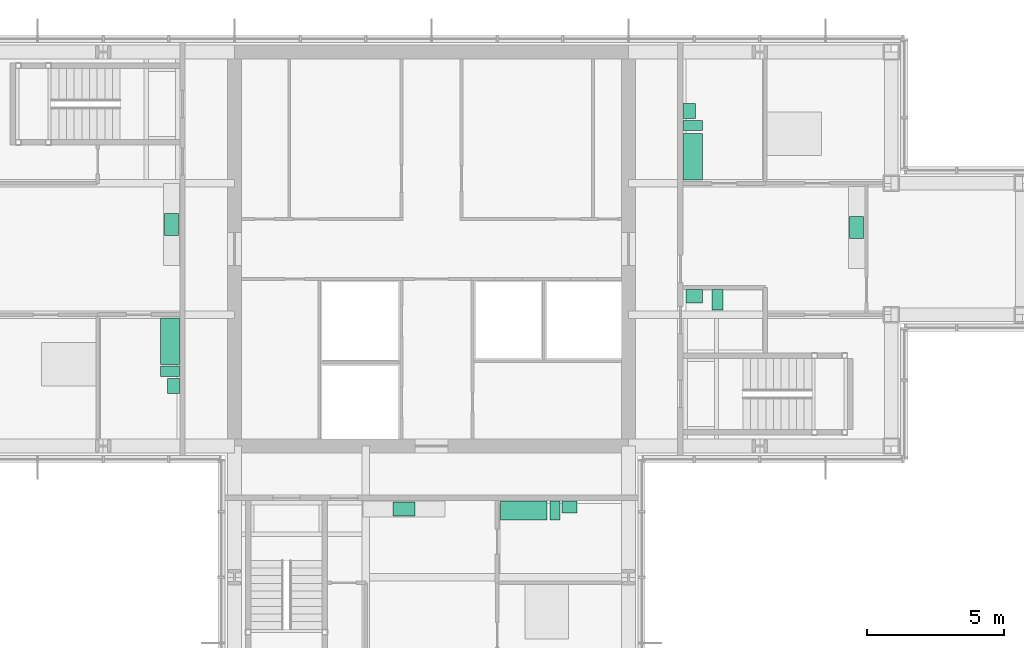
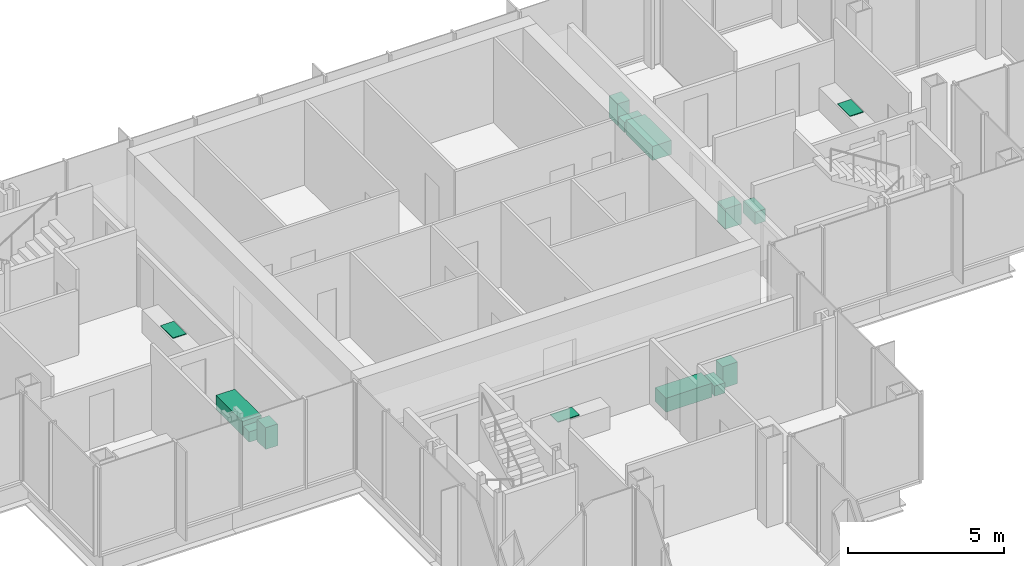
# One storey, part 14 of 15: 14 sanitary terminals.
"""IFC4 building model written with IfcOpenShell, lengths in metres."""

from ifc_helpers import new_model, si_unit, direction, frame, origin, origin_2d, place, context, subcontext, project, spatial, rectangle, extrude, material, type_object, element, save


model = new_model("IFC4")

# Units and contexts
model_context = context("Model", 3, precision=1e-05, world=origin(), true_north=direction((0.0, 1.0)))
body_context = subcontext(model_context, "Body", "Model", "MODEL_VIEW")
ifc_project = project(units=[si_unit("LENGTHUNIT", "METRE"), si_unit("AREAUNIT", "SQUARE_METRE"), si_unit("VOLUMEUNIT", "CUBIC_METRE"), si_unit("PLANEANGLEUNIT", "RADIAN"), si_unit("MASSUNIT", "GRAM", prefix="KILO")], contexts=[model_context])

# Site, building, storey
site_placement = place(None, origin())
site = spatial("IfcSite", under=ifc_project, at=site_placement, CompositionType="ELEMENT")
building_placement = place(site_placement, origin())
building = spatial("IfcBuilding", under=site, at=building_placement, Name="Kvirike Care Tower", CompositionType="ELEMENT")
storey_placement = place(building_placement, frame((0.0, 0.0, 198.0)))
storey = spatial("IfcBuildingStorey", under=building, at=storey_placement, Name="L54", CompositionType="ELEMENT", Elevation=198.0)

# Sanitary terminals
ifc_material_1 = material(Name="Vitreous china", Category="ceramic")
sanitary_terminal_type_1 = type_object("IfcSanitaryTerminalType", Name="ACCESSIBLE WASH BASIN 600 x 500", PredefinedType="WASHHANDBASIN", material=ifc_material_1)
sanitary_terminal_1_placement = place(storey_placement, frame((31.199951171875, 34.27294921875, 0.02001953125), z_axis=(0.0, 0.0, 1.0), x_axis=(1.0, 0.0, 0.0)))
element("IfcSanitaryTerminal", 1, at=sanitary_terminal_1_placement, inside=storey, type_object=sanitary_terminal_type_1, Name="Accessible wash basin L54-020", PredefinedType="WASHHANDBASIN", context=body_context, shape_type="SweptSolid", body=[
    extrude(rectangle(XDim=0.60009765625, YDim=0.5, at=origin_2d()), origin(), (0.0, 0.0, 1.0), 0.800048828125),
])
ifc_material_2 = material(Name="Vitreous china", Category="ceramic")
sanitary_terminal_type_2 = type_object("IfcSanitaryTerminalType", Name="ACCESSIBLE WC PAN 400 x 750", PredefinedType="TOILETPAN", material=ifc_material_2)
sanitary_terminal_2_placement = place(storey_placement, frame((32.050048828125, 34.14794921875, 0.02001953125), z_axis=(0.0, 0.0, 1.0), x_axis=(1.0, 0.0, 0.0)))
element("IfcSanitaryTerminal", 2, at=sanitary_terminal_2_placement, inside=storey, type_object=sanitary_terminal_type_2, Name="Accessible WC pan L54-020", PredefinedType="TOILETPAN", context=body_context, shape_type="SweptSolid", body=[
    extrude(rectangle(XDim=0.39990234375, YDim=0.75, at=origin_2d()), origin(), (0.0, 0.0, 1.0), 0.47998046875),
])
ifc_material_3 = material(Name="Enamelled steel", Category="steel")
sanitary_terminal_type_3 = type_object("IfcSanitaryTerminalType", Name="BATH 1700 x 700", PredefinedType="BATH", material=ifc_material_3)
for number, where, z_axis, x_axis, name in (
    (3, (12.048095703125, 32.625, 0.02001953125), (0.0, 0.0, 1.0), (0.0, -1.0, 0.0), "Bath L54-006"),
    (4, (24.97509765625, 26.447998046875, 0.02001953125), (0.0, 0.0, 1.0), (1.0, 0.0, 0.0), "Bath L54-013"),
    (5, (31.152099609375, 39.375, 0.02001953125), (0.0, 0.0, 1.0), (0.0, 1.0, 0.0), "Bath L54-021"),
):
    element("IfcSanitaryTerminal", number, at=place(storey_placement, frame(where, z_axis=z_axis, x_axis=x_axis)), inside=storey, type_object=sanitary_terminal_type_3, Name=name, PredefinedType="BATH", context=body_context, shape_type="SweptSolid", body=[
        extrude(rectangle(XDim=1.699951171875, YDim=0.699951171875, at=origin_2d()), origin(), (0.0, 0.0, 1.0), 0.550048828125),
    ])
ifc_material_4 = material(Name="Stainless steel", Category="steel")
sanitary_terminal_type_4 = type_object("IfcSanitaryTerminalType", Name="KITCHEN SINK 800 x 500", PredefinedType="SINK", material=ifc_material_4)
for number, where, z_axis, x_axis, name in (
    (6, (12.097900390625, 36.89990234375, 0.89990234375), (0.0, 0.0, 1.0), (0.0, -1.0, 0.0), "Kitchen sink L54-007"),
    (7, (20.60009765625, 26.498046875, 0.89990234375), (0.0, 0.0, 1.0), (1.0, 0.0, 0.0), "Kitchen sink L54-014"),
    (8, (37.137939453125, 36.7900390625, 0.89990234375), (0.0, 0.0, 1.0), (0.0, -1.0, 0.0), "Kitchen sink L54-022"),
):
    element("IfcSanitaryTerminal", number, at=place(storey_placement, frame(where, z_axis=z_axis, x_axis=x_axis)), inside=storey, type_object=sanitary_terminal_type_4, Name=name, PredefinedType="SINK", context=body_context, shape_type="SweptSolid", body=[
        extrude(rectangle(XDim=0.800048828125, YDim=0.5, at=origin_2d()), origin(), (0.0, 0.0, 1.0), 0.030029296875),
    ])
ifc_material_5 = material(Name="Vitreous china", Category="ceramic")
sanitary_terminal_type_5 = type_object("IfcSanitaryTerminalType", Name="WASH BASIN 550 x 450", PredefinedType="WASHHANDBASIN", material=ifc_material_5)
for number, where, z_axis, x_axis, name in (
    (9, (12.173095703125, 31.0, 0.02001953125), (0.0, 0.0, 1.0), (0.0, -1.0, 0.0), "Wash basin L54-006"),
    (10, (26.64990234375, 26.572998046875, 0.02001953125), (0.0, 0.0, 1.0), (1.0, 0.0, 0.0), "Wash basin L54-013"),
    (11, (31.027099609375, 41.050048828125, 0.02001953125), (0.0, 0.0, 1.0), (0.0, 1.0, 0.0), "Wash basin L54-021"),
):
    element("IfcSanitaryTerminal", number, at=place(storey_placement, frame(where, z_axis=z_axis, x_axis=x_axis)), inside=storey, type_object=sanitary_terminal_type_5, Name=name, PredefinedType="WASHHANDBASIN", context=body_context, shape_type="SweptSolid", body=[
        extrude(rectangle(XDim=0.550048828125, YDim=0.449951171875, at=origin_2d()), origin(), (0.0, 0.0, 1.0), 0.85009765625),
    ])
ifc_material_6 = material(Name="Vitreous china", Category="ceramic")
sanitary_terminal_type_6 = type_object("IfcSanitaryTerminalType", Name="WC PAN 380 x 700", PredefinedType="TOILETPAN", material=ifc_material_6)
for number, where, z_axis, x_axis, name in (
    (12, (12.048095703125, 31.534912109375, 0.02001953125), (0.0, 0.0, 1.0), (0.0, -1.0, 0.0), "WC pan L54-006"),
    (13, (26.114990234375, 26.447998046875, 0.02001953125), (0.0, 0.0, 1.0), (1.0, 0.0, 0.0), "WC pan L54-013"),
    (14, (31.152099609375, 40.514892578125, 0.02001953125), (0.0, 0.0, 1.0), (0.0, 1.0, 0.0), "WC pan L54-021"),
):
    element("IfcSanitaryTerminal", number, at=place(storey_placement, frame(where, z_axis=z_axis, x_axis=x_axis)), inside=storey, type_object=sanitary_terminal_type_6, Name=name, PredefinedType="TOILETPAN", context=body_context, shape_type="SweptSolid", body=[
        extrude(rectangle(XDim=0.3798828125, YDim=0.699951171875, at=origin_2d()), origin(), (0.0, 0.0, 1.0), 0.39990234375),
    ])

save(model, "model.ifc")
